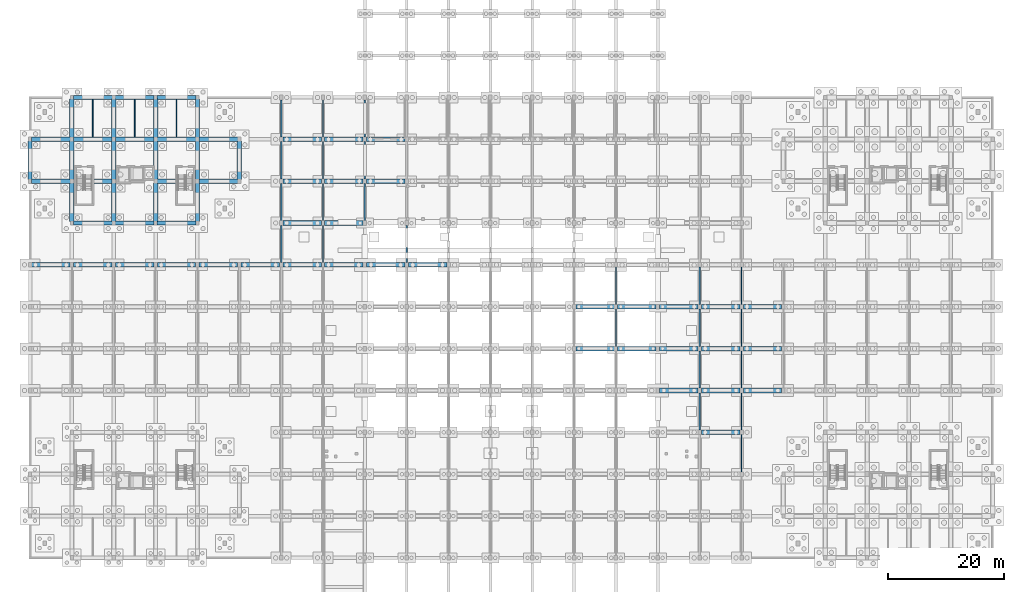
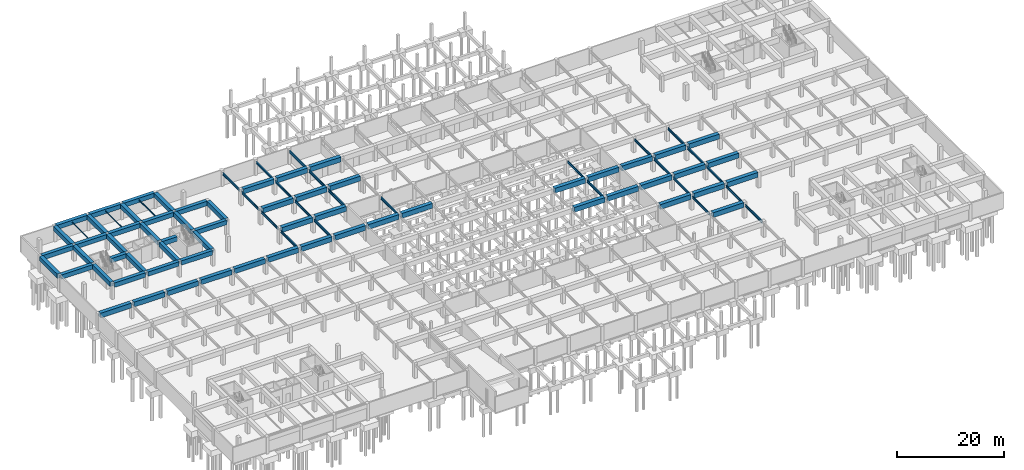
# One storey, part 20 of 36: 87 beams.
"""IFC4 building model written with IfcOpenShell, lengths in metres."""

import ifcopenshell
import ifcopenshell.guid

model = None  # the IFC model being written
_history = None  # IfcOwnerHistory: only IFC2X3 demands one
_inside = {}  # id of a spatial element -> (the spatial element, [elements in it])
_under = {}  # id of a project, library or spatial element -> (it, [spatial elements below it])
_declared = {}  # id of a project -> (the project, [libraries it declares])
_typed = {}  # id of a type object -> (the type object, [elements of that type])
_made_of = {}  # id of a material, layer set ... -> (it, [elements and type objects made of it])


def new_model(schema):
    """Start an empty IFC model of exactly this schema.

    Asked for "IFC4X3", IfcOpenShell would pick the latest addendum, in which some entities
    have other attributes; the version numbers below select the first issue.
    IFC2X3 requires an IfcOwnerHistory on every rooted entity: one is made here for all.
    """
    global model, _history
    if schema == "IFC4X3":
        model = ifcopenshell.file(schema_version=(4, 3, 0, 0))
    else:
        model = ifcopenshell.file(schema=schema)
    _inside.clear()
    _under.clear()
    _declared.clear()
    _typed.clear()
    _made_of.clear()
    _history = None
    if model.schema == "IFC2X3":
        org = make("IfcOrganization", Name="unknown")
        user = make(
            "IfcPersonAndOrganization",
            ThePerson=make("IfcPerson", FamilyName="unknown"),
            TheOrganization=org,
        )
        app = make(
            "IfcApplication",
            ApplicationDeveloper=org,
            Version="unknown",
            ApplicationFullName="unknown",
            ApplicationIdentifier="unknown",
        )
        _history = make(
            "IfcOwnerHistory",
            OwningUser=user,
            OwningApplication=app,
            ChangeAction="ADDED",
            CreationDate=0,
        )
    return model


def make(cls, **values):
    """One entity of the class cls with the attributes given. An attribute that is None is left unset."""
    return model.create_entity(
        cls, **{name: value for name, value in values.items() if value is not None}
    )


def rooted(cls, **values):
    """An entity with a GlobalId (a new one), such as an element, a storey or a relation."""
    return make(cls, GlobalId=ifcopenshell.guid.new(), OwnerHistory=_history, **values)


def si_unit(unit_type, name, prefix=None):
    """IfcSIUnit, for example si_unit("LENGTHUNIT", "METRE", prefix="MILLI")."""
    return make("IfcSIUnit", UnitType=unit_type, Prefix=prefix, Name=name)


def assignment(units):
    """IfcUnitAssignment: the units of a project."""
    return None if units is None else make("IfcUnitAssignment", Units=units)


def point(xyz):
    """IfcCartesianPoint."""
    return None if xyz is None else make("IfcCartesianPoint", Coordinates=xyz)


def direction(xyz):
    """IfcDirection."""
    return None if xyz is None else make("IfcDirection", DirectionRatios=xyz)


def frame(location, z_axis=None, x_axis=None):
    """IfcAxis2Placement3D, a coordinate frame: its origin and axes. An axis left out is left unset."""
    return make(
        "IfcAxis2Placement3D",
        Location=point(location),
        Axis=direction(z_axis),
        RefDirection=direction(x_axis),
    )


def frame_2d(location, x_axis=None):
    """IfcAxis2Placement2D, a coordinate frame in the plane: its origin and x axis."""
    return make(
        "IfcAxis2Placement2D", Location=point(location), RefDirection=direction(x_axis)
    )


def origin():
    """The frame at (0, 0, 0) with its axes left unset."""
    return frame((0.0, 0.0, 0.0))


def origin_2d():
    """The frame at (0, 0) in the plane with its x axis left unset."""
    return frame_2d((0.0, 0.0))


def place(relative_to, where):
    """IfcLocalPlacement: puts the frame where relative to a parent placement (None: the world)."""
    return make(
        "IfcLocalPlacement", PlacementRelTo=relative_to, RelativePlacement=where
    )


def context(
    kind, dimensions, precision=None, world=None, true_north=None, identifier=None
):
    """IfcGeometricRepresentationContext, for example the 3D "Model" context."""
    return make(
        "IfcGeometricRepresentationContext",
        ContextIdentifier=identifier,
        ContextType=kind,
        CoordinateSpaceDimension=dimensions,
        Precision=precision,
        WorldCoordinateSystem=world,
        TrueNorth=true_north,
    )


def subcontext(parent, identifier, kind, view, scale=None):
    """IfcGeometricRepresentationSubContext, for example "Body" below "Model"."""
    return make(
        "IfcGeometricRepresentationSubContext",
        ContextIdentifier=identifier,
        ContextType=kind,
        ParentContext=parent,
        TargetScale=scale,
        TargetView=view,
    )


def project(units=None, contexts=None):
    """IfcProject with its units and contexts."""
    return rooted(
        "IfcProject",
        Name="project",
        RepresentationContexts=contexts,
        UnitsInContext=assignment(units),
    )


def spatial(cls, under=None, at=None, **own):
    """A site, building, storey or space (cls), placed at a placement, below another one or the project."""
    s = rooted(cls, ObjectPlacement=at, **own)
    if under is not None:
        _under.setdefault(under.id(), (under, []))[1].append(s)
    return s


def profile(cls, at=None, kind="AREA", **sizes):
    """A parametric profile (cls). Its sizes go by their IFC names, for example OverallWidth=200.0."""
    return make(cls, ProfileType=kind, Position=at, **sizes)


def rectangle(**sizes):
    """IfcRectangleProfileDef."""
    return profile("IfcRectangleProfileDef", **sizes)


def i_section(**sizes):
    """IfcIShapeProfileDef."""
    return profile("IfcIShapeProfileDef", **sizes)


def extrude(swept, where, along, depth):
    """IfcExtrudedAreaSolid: the profile swept, set in the frame where, extruded along a direction by depth."""
    return make(
        "IfcExtrudedAreaSolid",
        SweptArea=swept,
        Position=where,
        ExtrudedDirection=direction(along),
        Depth=depth,
    )


def shape(context_of_items, identifier, shape_type, items):
    """IfcShapeRepresentation: the items that make up one representation, for example the "Body"."""
    return make(
        "IfcShapeRepresentation",
        ContextOfItems=context_of_items,
        RepresentationIdentifier=identifier,
        RepresentationType=shape_type,
        Items=items,
    )


def material(Name=None, Category=None):
    """IfcMaterial."""
    return make("IfcMaterial", Name=Name, Category=Category)


def material_profile(
    of_material, cross_section, Name=None, Category=None, Priority=None
):
    """IfcMaterialProfile: a cross section and its material."""
    return make(
        "IfcMaterialProfile",
        Name=Name,
        Material=of_material,
        Profile=cross_section,
        Priority=Priority,
        Category=Category,
    )


def profile_set(profiles, Name=None, composite=None):
    """IfcMaterialProfileSet."""
    return make(
        "IfcMaterialProfileSet",
        Name=Name,
        MaterialProfiles=profiles,
        CompositeProfile=composite,
    )


def made_of(thing, what):
    """Note that an element or type object is made of a material, layer set ...; save() writes the relation."""
    if what is not None:
        _made_of.setdefault(what.id(), (what, []))[1].append(thing)
    return thing


def type_object(cls, material=None, **own):
    """A type object (cls), such as IfcWallType, which elements share."""
    return made_of(rooted(cls, **own), material)


def element(
    cls,
    number,
    at=None,
    inside=None,
    cuts=None,
    type_object=None,
    material=None,
    context=None,
    identifier="Body",
    shape_type=None,
    held_by="IfcProductDefinitionShape",
    body=None,
    shapes=None,
    **own,
):
    """One element of the class cls, such as IfcWall. Its Tag is "e" and its number.

    at: its placement. inside: the storey or other place that contains it. cuts: it is an
    opening in that element (IfcRelVoidsElement). A single representation is given by context,
    identifier, shape_type and body (its items); several are given by shapes. held_by: the class
    of the entity that holds the representations. save() writes the other relations.
    """
    e = rooted(cls, Tag="e%d" % number, ObjectPlacement=at, **own)
    if body is not None:
        shapes = [shape(context, identifier, shape_type, body)]
    if shapes is not None:
        e.Representation = make(held_by, Representations=shapes)
    if inside is not None:
        _inside.setdefault(inside.id(), (inside, []))[1].append(e)
    if cuts is not None:
        rooted(
            "IfcRelVoidsElement", RelatingBuildingElement=cuts, RelatedOpeningElement=e
        )
    if type_object is not None:
        _typed.setdefault(type_object.id(), (type_object, []))[1].append(e)
    return made_of(e, material)


def aggregate(whole, parts):
    """IfcRelAggregates: a whole, such as a stair, and the parts it consists of."""
    return rooted("IfcRelAggregates", RelatingObject=whole, RelatedObjects=parts)


def save(model, path):
    """Write the relations noted so far, then the file.

    IfcRelAggregates (storeys below a building ...), IfcRelContainedInSpatialStructure (elements
    in a storey), IfcRelDefinesByType, IfcRelAssociatesMaterial and IfcRelDeclares: one each for
    every whole, place, type object, material and project.
    """
    for whole, parts in _under.values():
        aggregate(whole, parts)
    for where, things in _inside.values():
        rooted(
            "IfcRelContainedInSpatialStructure",
            RelatedElements=things,
            RelatingStructure=where,
        )
    for kind, things in _typed.values():
        rooted("IfcRelDefinesByType", RelatedObjects=things, RelatingType=kind)
    for what, things in _made_of.values():
        rooted("IfcRelAssociatesMaterial", RelatedObjects=things, RelatingMaterial=what)
    for by, libraries in _declared.values():
        rooted("IfcRelDeclares", RelatingContext=by, RelatedDefinitions=libraries)
    model.write(path)


model = new_model("IFC4")

# Units and contexts
model_context = context("Model", 3, precision=1e-05, world=origin(), true_north=direction((0.0, 1.0)))
body_context = subcontext(model_context, "Body", "Model", "MODEL_VIEW")
ifc_project = project(units=[si_unit("LENGTHUNIT", "METRE"), si_unit("AREAUNIT", "SQUARE_METRE"), si_unit("VOLUMEUNIT", "CUBIC_METRE"), si_unit("PLANEANGLEUNIT", "RADIAN"), si_unit("MASSUNIT", "GRAM", prefix="KILO")], contexts=[model_context])

# Site, building, storey
site_placement = place(None, origin())
site = spatial("IfcSite", under=ifc_project, at=site_placement, CompositionType="ELEMENT")
building_placement = place(site_placement, origin())
building = spatial("IfcBuilding", under=site, at=building_placement, Name="Ochrevale Crest", CompositionType="ELEMENT")
storey_placement = place(building_placement, frame((0.0, 0.0, -3.60009765625)))
storey = spatial("IfcBuildingStorey", under=building, at=storey_placement, Name="B1", CompositionType="ELEMENT", Elevation=-3.60009765625)

# Beams
ifc_material_1 = material(Name="Concrete C50/60", Category="concrete")
ifc_material_profile_1 = material_profile(ifc_material_1, rectangle(XDim=0.75, YDim=1.0, at=origin_2d()), Name="RC 750x1000")
ifc_profile_set_1 = profile_set([ifc_material_profile_1], Name="Concrete C50/60")
beam_type_1 = type_object("IfcBeamType", Name="BM-TG750x1000", PredefinedType="USERDEFINED", material=ifc_profile_set_1)
beam_1_placement = place(storey_placement, frame((7.449951171875, 72.0, 3.10009765625), z_axis=(1.0, 0.0, 0.0), x_axis=(0.0, 1.0, 0.0)))
element("IfcBeam", 1, at=beam_1_placement, inside=storey, type_object=beam_type_1, Name="Block B B1 E-W beam Y=72.0", ObjectType="GIRDER", PredefinedType="USERDEFINED", context=body_context, shape_type="SweptSolid", body=[
    extrude(rectangle(XDim=0.75, YDim=1.0, at=origin_2d()), origin(), (0.0, 0.0, 1.0), 6.699951171875),
])
beam_2_placement = place(storey_placement, frame((14.64990234375, 72.0, 3.10009765625), z_axis=(1.0, 0.0, 0.0), x_axis=(0.0, 1.0, 0.0)))
element("IfcBeam", 2, at=beam_2_placement, inside=storey, type_object=beam_type_1, Name="Block B B1 E-W beam Y=72.0", ObjectType="GIRDER", PredefinedType="USERDEFINED", context=body_context, shape_type="SweptSolid", body=[
    extrude(rectangle(XDim=0.75, YDim=1.0, at=origin_2d()), origin(), (0.0, 0.0, 1.0), 6.7001953125),
])
beam_3_placement = place(storey_placement, frame((21.85009765625, 72.0, 3.10009765625), z_axis=(1.0, 0.0, 0.0), x_axis=(0.0, 1.0, 0.0)))
element("IfcBeam", 3, at=beam_3_placement, inside=storey, type_object=beam_type_1, Name="Block B B1 E-W beam Y=72.0", ObjectType="GIRDER", PredefinedType="USERDEFINED", context=body_context, shape_type="SweptSolid", body=[
    extrude(rectangle(XDim=0.75, YDim=1.0, at=origin_2d()), origin(), (0.0, 0.0, 1.0), 6.699951171875),
])
beam_4_placement = place(storey_placement, frame((0.25, 79.199951171875, 3.10009765625), z_axis=(1.0, 0.0, 0.0), x_axis=(0.0, 1.0, 0.0)))
element("IfcBeam", 4, at=beam_4_placement, inside=storey, type_object=beam_type_1, Name="Block B B1 E-W beam Y=79.2", ObjectType="GIRDER", PredefinedType="USERDEFINED", context=body_context, shape_type="SweptSolid", body=[
    extrude(rectangle(XDim=0.75, YDim=1.0, at=origin_2d()), origin(), (0.0, 0.0, 1.0), 6.675048828125),
])
beam_5_placement = place(storey_placement, frame((10.889892578125, 79.199951171875, 3.10009765625), z_axis=(1.0, 0.0, 0.0), x_axis=(0.0, 1.0, 0.0)))
element("IfcBeam", 5, at=beam_5_placement, inside=storey, type_object=beam_type_1, Name="Block B B1 E-W beam Y=79.2", ObjectType="GIRDER", PredefinedType="USERDEFINED", context=body_context, shape_type="SweptSolid", body=[
    extrude(rectangle(XDim=0.75, YDim=1.0, at=origin_2d()), origin(), (0.0, 0.0, 1.0), 3.235107421875),
])
beam_6_placement = place(storey_placement, frame((21.875, 79.199951171875, 3.10009765625), z_axis=(1.0, 0.0, 0.0), x_axis=(0.0, 1.0, 0.0)))
element("IfcBeam", 6, at=beam_6_placement, inside=storey, type_object=beam_type_1, Name="Block B B1 E-W beam Y=79.2", ObjectType="GIRDER", PredefinedType="USERDEFINED", context=body_context, shape_type="SweptSolid", body=[
    extrude(rectangle(XDim=0.75, YDim=1.0, at=origin_2d()), origin(), (0.0, 0.0, 1.0), 3.284912109375),
])
for number, where, z_axis, x_axis, name in (
    (7, (29.074951171875, 79.199951171875, 3.10009765625), (1.0, 0.0, 0.0), (0.0, 1.0, 0.0), "Block B B1 E-W beam Y=79.2"),
    (8, (0.25, 86.39990234375, 3.10009765625), (1.0, 0.0, 0.0), (0.0, 1.0, 0.0), "Block B B1 E-W beam Y=86.4"),
):
    element("IfcBeam", number, at=place(storey_placement, frame(where, z_axis=z_axis, x_axis=x_axis)), inside=storey, type_object=beam_type_1, Name=name, ObjectType="GIRDER", PredefinedType="USERDEFINED", context=body_context, shape_type="SweptSolid", body=[
        extrude(rectangle(XDim=0.75, YDim=1.0, at=origin_2d()), origin(), (0.0, 0.0, 1.0), 6.675048828125),
    ])
for number, where, z_axis, x_axis, name in (
    (9, (7.47509765625, 86.39990234375, 3.10009765625), (1.0, 0.0, 0.0), (0.0, 1.0, 0.0), "Block B B1 E-W beam Y=86.4"),
    (10, (14.675048828125, 86.39990234375, 3.10009765625), (1.0, 0.0, 0.0), (0.0, 1.0, 0.0), "Block B B1 E-W beam Y=86.4"),
    (11, (21.875, 86.39990234375, 3.10009765625), (1.0, 0.0, 0.0), (0.0, 1.0, 0.0), "Block B B1 E-W beam Y=86.4"),
):
    element("IfcBeam", number, at=place(storey_placement, frame(where, z_axis=z_axis, x_axis=x_axis)), inside=storey, type_object=beam_type_1, Name=name, ObjectType="GIRDER", PredefinedType="USERDEFINED", context=body_context, shape_type="SweptSolid", body=[
        extrude(rectangle(XDim=0.75, YDim=1.0, at=origin_2d()), origin(), (0.0, 0.0, 1.0), 6.64990234375),
    ])
beam_7_placement = place(storey_placement, frame((29.074951171875, 86.39990234375, 3.10009765625), z_axis=(1.0, 0.0, 0.0), x_axis=(0.0, 1.0, 0.0)))
element("IfcBeam", 12, at=beam_7_placement, inside=storey, type_object=beam_type_1, Name="Block B B1 E-W beam Y=86.4", ObjectType="GIRDER", PredefinedType="USERDEFINED", context=body_context, shape_type="SweptSolid", body=[
    extrude(rectangle(XDim=0.75, YDim=1.0, at=origin_2d()), origin(), (0.0, 0.0, 1.0), 6.675048828125),
])
beam_8_placement = place(storey_placement, frame((7.449951171875, 93.60009765625, 3.10009765625), z_axis=(1.0, 0.0, 0.0), x_axis=(0.0, 1.0, 0.0)))
element("IfcBeam", 13, at=beam_8_placement, inside=storey, type_object=beam_type_1, Name="Block B B1 E-W beam Y=93.6", ObjectType="GIRDER", PredefinedType="USERDEFINED", context=body_context, shape_type="SweptSolid", body=[
    extrude(rectangle(XDim=0.75, YDim=1.0, at=origin_2d()), origin(), (0.0, 0.0, 1.0), 6.699951171875),
])
beam_9_placement = place(storey_placement, frame((14.64990234375, 93.60009765625, 3.10009765625), z_axis=(1.0, 0.0, 0.0), x_axis=(0.0, 1.0, 0.0)))
element("IfcBeam", 14, at=beam_9_placement, inside=storey, type_object=beam_type_1, Name="Block B B1 E-W beam Y=93.6", ObjectType="GIRDER", PredefinedType="USERDEFINED", context=body_context, shape_type="SweptSolid", body=[
    extrude(rectangle(XDim=0.75, YDim=1.0, at=origin_2d()), origin(), (0.0, 0.0, 1.0), 6.7001953125),
])
beam_10_placement = place(storey_placement, frame((21.85009765625, 93.60009765625, 3.10009765625), z_axis=(1.0, 0.0, 0.0), x_axis=(0.0, 1.0, 0.0)))
element("IfcBeam", 15, at=beam_10_placement, inside=storey, type_object=beam_type_1, Name="Block B B1 E-W beam Y=93.6", ObjectType="GIRDER", PredefinedType="USERDEFINED", context=body_context, shape_type="SweptSolid", body=[
    extrude(rectangle(XDim=0.75, YDim=1.0, at=origin_2d()), origin(), (0.0, 0.0, 1.0), 6.699951171875),
])
beam_11_placement = place(storey_placement, frame((0.0, 79.455078125, 3.10009765625), z_axis=(0.0, 1.0, 0.0), x_axis=(-1.0, 0.0, 0.0)))
element("IfcBeam", 16, at=beam_11_placement, inside=storey, type_object=beam_type_1, Name="Block B B1 N-S beam X=0.0", ObjectType="GIRDER", PredefinedType="USERDEFINED", context=body_context, shape_type="SweptSolid", body=[
    extrude(rectangle(XDim=0.75, YDim=1.0, at=origin_2d()), origin(), (0.0, 0.0, 1.0), 6.68994140625),
])
beam_12_placement = place(storey_placement, frame((7.199951171875, 72.2548828125, 3.10009765625), z_axis=(0.0, 1.0, 0.0), x_axis=(-1.0, 0.0, 0.0)))
element("IfcBeam", 17, at=beam_12_placement, inside=storey, type_object=beam_type_1, Name="Block B B1 N-S beam X=7.2", ObjectType="GIRDER", PredefinedType="USERDEFINED", context=body_context, shape_type="SweptSolid", body=[
    extrude(rectangle(XDim=0.75, YDim=1.0, at=origin_2d()), origin(), (0.0, 0.0, 1.0), 6.6650390625),
])
beam_13_placement = place(storey_placement, frame((7.199951171875, 79.47998046875, 3.10009765625), z_axis=(0.0, 1.0, 0.0), x_axis=(-1.0, 0.0, 0.0)))
element("IfcBeam", 18, at=beam_13_placement, inside=storey, type_object=beam_type_1, Name="Block B B1 N-S beam X=7.2", ObjectType="GIRDER", PredefinedType="USERDEFINED", context=body_context, shape_type="SweptSolid", body=[
    extrude(rectangle(XDim=0.75, YDim=1.0, at=origin_2d()), origin(), (0.0, 0.0, 1.0), 6.64013671875),
])
for number, where, z_axis, x_axis, name in (
    (19, (7.199951171875, 86.679931640625, 3.10009765625), (0.0, 1.0, 0.0), (-1.0, 0.0, 0.0), "Block B B1 N-S beam X=7.2"),
    (20, (14.39990234375, 72.2548828125, 3.10009765625), (0.0, 1.0, 0.0), (-1.0, 0.0, 0.0), "Block B B1 N-S beam X=14.4"),
):
    element("IfcBeam", number, at=place(storey_placement, frame(where, z_axis=z_axis, x_axis=x_axis)), inside=storey, type_object=beam_type_1, Name=name, ObjectType="GIRDER", PredefinedType="USERDEFINED", context=body_context, shape_type="SweptSolid", body=[
        extrude(rectangle(XDim=0.75, YDim=1.0, at=origin_2d()), origin(), (0.0, 0.0, 1.0), 6.6650390625),
    ])
beam_14_placement = place(storey_placement, frame((14.39990234375, 79.47998046875, 3.10009765625), z_axis=(0.0, 1.0, 0.0), x_axis=(-1.0, 0.0, 0.0)))
element("IfcBeam", 21, at=beam_14_placement, inside=storey, type_object=beam_type_1, Name="Block B B1 N-S beam X=14.4", ObjectType="GIRDER", PredefinedType="USERDEFINED", context=body_context, shape_type="SweptSolid", body=[
    extrude(rectangle(XDim=0.75, YDim=1.0, at=origin_2d()), origin(), (0.0, 0.0, 1.0), 6.64013671875),
])
for number, where, z_axis, x_axis, name in (
    (22, (14.39990234375, 86.679931640625, 3.10009765625), (0.0, 1.0, 0.0), (-1.0, 0.0, 0.0), "Block B B1 N-S beam X=14.4"),
    (23, (21.60009765625, 72.2548828125, 3.10009765625), (0.0, 1.0, 0.0), (-1.0, 0.0, 0.0), "Block B B1 N-S beam X=21.6"),
):
    element("IfcBeam", number, at=place(storey_placement, frame(where, z_axis=z_axis, x_axis=x_axis)), inside=storey, type_object=beam_type_1, Name=name, ObjectType="GIRDER", PredefinedType="USERDEFINED", context=body_context, shape_type="SweptSolid", body=[
        extrude(rectangle(XDim=0.75, YDim=1.0, at=origin_2d()), origin(), (0.0, 0.0, 1.0), 6.6650390625),
    ])
beam_15_placement = place(storey_placement, frame((21.60009765625, 79.47998046875, 3.10009765625), z_axis=(0.0, 1.0, 0.0), x_axis=(-1.0, 0.0, 0.0)))
element("IfcBeam", 24, at=beam_15_placement, inside=storey, type_object=beam_type_1, Name="Block B B1 N-S beam X=21.6", ObjectType="GIRDER", PredefinedType="USERDEFINED", context=body_context, shape_type="SweptSolid", body=[
    extrude(rectangle(XDim=0.75, YDim=1.0, at=origin_2d()), origin(), (0.0, 0.0, 1.0), 6.64013671875),
])
for number, where, z_axis, x_axis, name in (
    (25, (21.60009765625, 86.679931640625, 3.10009765625), (0.0, 1.0, 0.0), (-1.0, 0.0, 0.0), "Block B B1 N-S beam X=21.6"),
    (26, (28.800048828125, 72.2548828125, 3.10009765625), (0.0, 1.0, 0.0), (-1.0, 0.0, 0.0), "Block B B1 N-S beam X=28.8"),
):
    element("IfcBeam", number, at=place(storey_placement, frame(where, z_axis=z_axis, x_axis=x_axis)), inside=storey, type_object=beam_type_1, Name=name, ObjectType="GIRDER", PredefinedType="USERDEFINED", context=body_context, shape_type="SweptSolid", body=[
        extrude(rectangle(XDim=0.75, YDim=1.0, at=origin_2d()), origin(), (0.0, 0.0, 1.0), 6.6650390625),
    ])
beam_16_placement = place(storey_placement, frame((28.800048828125, 79.47998046875, 3.10009765625), z_axis=(0.0, 1.0, 0.0), x_axis=(-1.0, 0.0, 0.0)))
element("IfcBeam", 27, at=beam_16_placement, inside=storey, type_object=beam_type_1, Name="Block B B1 N-S beam X=28.8", ObjectType="GIRDER", PredefinedType="USERDEFINED", context=body_context, shape_type="SweptSolid", body=[
    extrude(rectangle(XDim=0.75, YDim=1.0, at=origin_2d()), origin(), (0.0, 0.0, 1.0), 6.64013671875),
])
beam_17_placement = place(storey_placement, frame((28.800048828125, 86.679931640625, 3.10009765625), z_axis=(0.0, 1.0, 0.0), x_axis=(-1.0, 0.0, 0.0)))
element("IfcBeam", 28, at=beam_17_placement, inside=storey, type_object=beam_type_1, Name="Block B B1 N-S beam X=28.8", ObjectType="GIRDER", PredefinedType="USERDEFINED", context=body_context, shape_type="SweptSolid", body=[
    extrude(rectangle(XDim=0.75, YDim=1.0, at=origin_2d()), origin(), (0.0, 0.0, 1.0), 6.6650390625),
])
beam_18_placement = place(storey_placement, frame((36.0, 79.455078125, 3.10009765625), z_axis=(0.0, 1.0, 0.0), x_axis=(-1.0, 0.0, 0.0)))
element("IfcBeam", 29, at=beam_18_placement, inside=storey, type_object=beam_type_1, Name="Block B B1 N-S beam X=36.0", ObjectType="GIRDER", PredefinedType="USERDEFINED", context=body_context, shape_type="SweptSolid", body=[
    extrude(rectangle(XDim=0.75, YDim=1.0, at=origin_2d()), origin(), (0.0, 0.0, 1.0), 6.68994140625),
])
ifc_material_profile_2 = material_profile(ifc_material_1, rectangle(XDim=0.800048828125, YDim=1.10009765625, at=origin_2d()), Name="RC 800x1100")
ifc_profile_set_2 = profile_set([ifc_material_profile_2], Name="Concrete C50/60")
beam_type_2 = type_object("IfcBeamType", Name="BM-TG800x1100", PredefinedType="USERDEFINED", material=ifc_profile_set_2)
beam_19_placement = place(storey_placement, frame((0.294921875, 64.800048828125, 3.050048828125), z_axis=(1.0, 0.0, 0.0), x_axis=(0.0, 1.0, 0.0)))
element("IfcBeam", 30, at=beam_19_placement, inside=storey, type_object=beam_type_2, Name="B1 podium primary girder (0.0,64.8)", ObjectType="GIRDER", PredefinedType="USERDEFINED", context=body_context, shape_type="SweptSolid", body=[
    extrude(rectangle(XDim=0.800048828125, YDim=1.10009765625, at=origin_2d()), origin(), (0.0, 0.0, 1.0), 6.610107421875),
])
for number, where, z_axis, x_axis, name in (
    (31, (7.4951171875, 64.800048828125, 3.050048828125), (1.0, 0.0, 0.0), (0.0, 1.0, 0.0), "B1 podium primary girder (7.2,64.8)"),
    (32, (14.695068359375, 64.800048828125, 3.050048828125), (1.0, 0.0, 0.0), (0.0, 1.0, 0.0), "B1 podium primary girder (14.4,64.8)"),
    (33, (21.89501953125, 64.800048828125, 3.050048828125), (1.0, 0.0, 0.0), (0.0, 1.0, 0.0), "B1 podium primary girder (21.6,64.8)"),
):
    element("IfcBeam", number, at=place(storey_placement, frame(where, z_axis=z_axis, x_axis=x_axis)), inside=storey, type_object=beam_type_2, Name=name, ObjectType="GIRDER", PredefinedType="USERDEFINED", context=body_context, shape_type="SweptSolid", body=[
        extrude(rectangle(XDim=0.800048828125, YDim=1.10009765625, at=origin_2d()), origin(), (0.0, 0.0, 1.0), 6.60986328125),
    ])
for number, where, z_axis, x_axis, name in (
    (34, (29.094970703125, 64.800048828125, 3.050048828125), (1.0, 0.0, 0.0), (0.0, 1.0, 0.0), "B1 podium primary girder (28.8,64.8)"),
    (35, (36.294921875, 64.800048828125, 3.050048828125), (1.0, 0.0, 0.0), (0.0, 1.0, 0.0), "B1 podium primary girder (36.0,64.8)"),
):
    element("IfcBeam", number, at=place(storey_placement, frame(where, z_axis=z_axis, x_axis=x_axis)), inside=storey, type_object=beam_type_2, Name=name, ObjectType="GIRDER", PredefinedType="USERDEFINED", context=body_context, shape_type="SweptSolid", body=[
        extrude(rectangle(XDim=0.800048828125, YDim=1.10009765625, at=origin_2d()), origin(), (0.0, 0.0, 1.0), 6.610107421875),
    ])
for number, where, z_axis, x_axis, name in (
    (36, (43.4951171875, 64.800048828125, 3.050048828125), (1.0, 0.0, 0.0), (0.0, 1.0, 0.0), "B1 podium primary girder (43.2,64.8)"),
    (37, (43.4951171875, 72.0, 3.050048828125), (1.0, 0.0, 0.0), (0.0, 1.0, 0.0), "B1 podium primary girder (43.2,72.0)"),
    (38, (43.4951171875, 79.199951171875, 3.050048828125), (1.0, 0.0, 0.0), (0.0, 1.0, 0.0), "B1 podium primary girder (43.2,79.2)"),
    (39, (43.4951171875, 86.39990234375, 3.050048828125), (1.0, 0.0, 0.0), (0.0, 1.0, 0.0), "B1 podium primary girder (43.2,86.4)"),
    (40, (50.695068359375, 64.800048828125, 3.050048828125), (1.0, 0.0, 0.0), (0.0, 1.0, 0.0), "B1 podium primary girder (50.4,64.8)"),
    (41, (50.695068359375, 72.0, 3.050048828125), (1.0, 0.0, 0.0), (0.0, 1.0, 0.0), "B1 podium primary girder (50.4,72.0)"),
    (42, (50.695068359375, 79.199951171875, 3.050048828125), (1.0, 0.0, 0.0), (0.0, 1.0, 0.0), "B1 podium primary girder (50.4,79.2)"),
    (43, (50.695068359375, 86.39990234375, 3.050048828125), (1.0, 0.0, 0.0), (0.0, 1.0, 0.0), "B1 podium primary girder (50.4,86.4)"),
    (44, (57.89501953125, 64.800048828125, 3.050048828125), (1.0, 0.0, 0.0), (0.0, 1.0, 0.0), "B1 podium primary girder (57.6,64.8)"),
    (45, (57.89501953125, 79.199951171875, 3.050048828125), (1.0, 0.0, 0.0), (0.0, 1.0, 0.0), "B1 podium primary girder (57.6,79.2)"),
    (46, (57.89501953125, 86.39990234375, 3.050048828125), (1.0, 0.0, 0.0), (0.0, 1.0, 0.0), "B1 podium primary girder (57.6,86.4)"),
):
    element("IfcBeam", number, at=place(storey_placement, frame(where, z_axis=z_axis, x_axis=x_axis)), inside=storey, type_object=beam_type_2, Name=name, ObjectType="GIRDER", PredefinedType="USERDEFINED", context=body_context, shape_type="SweptSolid", body=[
        extrude(rectangle(XDim=0.800048828125, YDim=1.10009765625, at=origin_2d()), origin(), (0.0, 0.0, 1.0), 6.60986328125),
    ])
beam_20_placement = place(storey_placement, frame((65.094970703125, 64.800048828125, 3.050048828125), z_axis=(1.0, 0.0, 0.0), x_axis=(0.0, 1.0, 0.0)))
element("IfcBeam", 47, at=beam_20_placement, inside=storey, type_object=beam_type_2, Name="B1 podium primary girder (64.8,64.8)", ObjectType="GIRDER", PredefinedType="USERDEFINED", context=body_context, shape_type="SweptSolid", body=[
    extrude(rectangle(XDim=0.800048828125, YDim=1.10009765625, at=origin_2d()), origin(), (0.0, 0.0, 1.0), 6.610107421875),
])
for number, where, z_axis, x_axis, name in (
    (48, (93.89501953125, 50.39990234375, 3.050048828125), (1.0, 0.0, 0.0), (0.0, 1.0, 0.0), "B1 podium primary girder (93.6,50.4)"),
    (49, (93.89501953125, 57.60009765625, 3.050048828125), (1.0, 0.0, 0.0), (0.0, 1.0, 0.0), "B1 podium primary girder (93.6,57.6)"),
):
    element("IfcBeam", number, at=place(storey_placement, frame(where, z_axis=z_axis, x_axis=x_axis)), inside=storey, type_object=beam_type_2, Name=name, ObjectType="GIRDER", PredefinedType="USERDEFINED", context=body_context, shape_type="SweptSolid", body=[
        extrude(rectangle(XDim=0.800048828125, YDim=1.10009765625, at=origin_2d()), origin(), (0.0, 0.0, 1.0), 6.60986328125),
    ])
for number, where, z_axis, x_axis, name in (
    (50, (101.094970703125, 50.39990234375, 3.050048828125), (1.0, 0.0, 0.0), (0.0, 1.0, 0.0), "B1 podium primary girder (100.8,50.4)"),
    (51, (101.094970703125, 57.60009765625, 3.050048828125), (1.0, 0.0, 0.0), (0.0, 1.0, 0.0), "B1 podium primary girder (100.8,57.6)"),
    (52, (108.294921875, 43.199951171875, 3.050048828125), (1.0, 0.0, 0.0), (0.0, 1.0, 0.0), "B1 podium primary girder (108.0,43.2)"),
    (53, (108.294921875, 50.39990234375, 3.050048828125), (1.0, 0.0, 0.0), (0.0, 1.0, 0.0), "B1 podium primary girder (108.0,50.4)"),
    (54, (108.294921875, 57.60009765625, 3.050048828125), (1.0, 0.0, 0.0), (0.0, 1.0, 0.0), "B1 podium primary girder (108.0,57.6)"),
):
    element("IfcBeam", number, at=place(storey_placement, frame(where, z_axis=z_axis, x_axis=x_axis)), inside=storey, type_object=beam_type_2, Name=name, ObjectType="GIRDER", PredefinedType="USERDEFINED", context=body_context, shape_type="SweptSolid", body=[
        extrude(rectangle(XDim=0.800048828125, YDim=1.10009765625, at=origin_2d()), origin(), (0.0, 0.0, 1.0), 6.610107421875),
    ])
for number, where, z_axis, x_axis, name in (
    (55, (115.4951171875, 36.0, 3.050048828125), (1.0, 0.0, 0.0), (0.0, 1.0, 0.0), "B1 podium primary girder (115.2,36.0)"),
    (56, (115.4951171875, 43.199951171875, 3.050048828125), (1.0, 0.0, 0.0), (0.0, 1.0, 0.0), "B1 podium primary girder (115.2,43.2)"),
    (57, (115.4951171875, 50.39990234375, 3.050048828125), (1.0, 0.0, 0.0), (0.0, 1.0, 0.0), "B1 podium primary girder (115.2,50.4)"),
    (58, (115.4951171875, 57.60009765625, 3.050048828125), (1.0, 0.0, 0.0), (0.0, 1.0, 0.0), "B1 podium primary girder (115.2,57.6)"),
    (59, (122.695068359375, 43.199951171875, 3.050048828125), (1.0, 0.0, 0.0), (0.0, 1.0, 0.0), "B1 podium primary girder (122.4,43.2)"),
    (60, (122.695068359375, 50.39990234375, 3.050048828125), (1.0, 0.0, 0.0), (0.0, 1.0, 0.0), "B1 podium primary girder (122.4,50.4)"),
    (61, (122.695068359375, 57.60009765625, 3.050048828125), (1.0, 0.0, 0.0), (0.0, 1.0, 0.0), "B1 podium primary girder (122.4,57.6)"),
):
    element("IfcBeam", number, at=place(storey_placement, frame(where, z_axis=z_axis, x_axis=x_axis)), inside=storey, type_object=beam_type_2, Name=name, ObjectType="GIRDER", PredefinedType="USERDEFINED", context=body_context, shape_type="SweptSolid", body=[
        extrude(rectangle(XDim=0.800048828125, YDim=1.10009765625, at=origin_2d()), origin(), (0.0, 0.0, 1.0), 6.60986328125),
    ])
ifc_material_2 = material(Name="Steel S355", Category="steel")
ifc_material_profile_3 = material_profile(ifc_material_2, i_section(OverallWidth=0.13330078125, OverallDepth=0.203125, WebThickness=0.005859375, FlangeThickness=0.0078125, FilletRadius=0.0087890625, at=origin_2d()), Name="200UB25.4")
ifc_profile_set_3 = profile_set([ifc_material_profile_3], Name="Steel S355")
beam_type_3 = type_object("IfcBeamType", Name="BM-UB200A", PredefinedType="JOIST", material=ifc_profile_set_3)
beam_21_placement = place(storey_placement, frame((10.800048828125, 86.762939453125, 3.173583984375), z_axis=(0.0, 1.0, 0.0), x_axis=(-1.0, 0.0, 0.0)))
element("IfcBeam", 62, at=beam_21_placement, inside=storey, type_object=beam_type_3, Name="Block B B1 composite plank trimmer beam 2", PredefinedType="JOIST", context=body_context, shape_type="SweptSolid", body=[
    extrude(i_section(OverallWidth=0.13330078125, OverallDepth=0.203125, WebThickness=0.005859375, FlangeThickness=0.0078125, FilletRadius=0.0087890625, at=origin_2d()), origin(), (0.0, 0.0, 1.0), 6.47412109375),
])
ifc_material_profile_4 = material_profile(ifc_material_2, i_section(OverallWidth=0.134033203125, OverallDepth=0.20703125, WebThickness=0.00634765625, FlangeThickness=0.009521484375, FilletRadius=0.0087890625, at=origin_2d()), Name="200UB29.8")
ifc_profile_set_4 = profile_set([ifc_material_profile_4], Name="Steel S355")
beam_type_4 = type_object("IfcBeamType", Name="BM-UB200B", PredefinedType="JOIST", material=ifc_profile_set_4)
beam_22_placement = place(storey_placement, frame((18.0, 86.762939453125, 3.171630859375), z_axis=(0.0, 1.0, 0.0), x_axis=(-1.0, 0.0, 0.0)))
element("IfcBeam", 63, at=beam_22_placement, inside=storey, type_object=beam_type_4, Name="Block B B1 composite plank trimmer beam 3", PredefinedType="JOIST", context=body_context, shape_type="SweptSolid", body=[
    extrude(i_section(OverallWidth=0.134033203125, OverallDepth=0.20703125, WebThickness=0.00634765625, FlangeThickness=0.009521484375, FilletRadius=0.0087890625, at=origin_2d()), origin(), (0.0, 0.0, 1.0), 6.47412109375),
])
ifc_material_profile_5 = material_profile(ifc_material_2, i_section(OverallWidth=0.14599609375, OverallDepth=0.251708984375, WebThickness=0.006103515625, FlangeThickness=0.008544921875, FilletRadius=0.0087890625, at=origin_2d()), Name="250UB31.4")
ifc_profile_set_5 = profile_set([ifc_material_profile_5], Name="Steel S355")
beam_type_5 = type_object("IfcBeamType", Name="BM-UB250A", PredefinedType="JOIST", material=ifc_profile_set_5)
beam_23_placement = place(storey_placement, frame((25.199951171875, 86.762939453125, 3.1494140625), z_axis=(0.0, 1.0, 0.0), x_axis=(-1.0, 0.0, 0.0)))
element("IfcBeam", 64, at=beam_23_placement, inside=storey, type_object=beam_type_5, Name="Block B B1 composite plank trimmer beam 4", PredefinedType="JOIST", context=body_context, shape_type="SweptSolid", body=[
    extrude(i_section(OverallWidth=0.14599609375, OverallDepth=0.251708984375, WebThickness=0.006103515625, FlangeThickness=0.008544921875, FilletRadius=0.0087890625, at=origin_2d()), origin(), (0.0, 0.0, 1.0), 6.47412109375),
])
ifc_material_profile_6 = material_profile(ifc_material_2, i_section(OverallWidth=0.208740234375, OverallDepth=0.5283203125, WebThickness=0.009521484375, FlangeThickness=0.01318359375, FilletRadius=0.013916015625, at=origin_2d()), Name="530UB82.0")
ifc_profile_set_6 = profile_set([ifc_material_profile_6], Name="Steel S355")
beam_type_6 = type_object("IfcBeamType", Name="BM-UB530", PredefinedType="USERDEFINED", material=ifc_profile_set_6)
for number, where, z_axis, x_axis, name in (
    (65, (43.199951171875, 65.195068359375, 2.916015625), (0.0, 1.0, 0.0), (-1.0, 0.0, 0.0), "B1 carpark steel girder (43.2,64.8)"),
    (66, (43.199951171875, 72.39501953125, 2.916015625), (0.0, 1.0, 0.0), (-1.0, 0.0, 0.0), "B1 carpark steel girder (43.2,72.0)"),
    (67, (43.199951171875, 79.594970703125, 2.916015625), (0.0, 1.0, 0.0), (-1.0, 0.0, 0.0), "B1 carpark steel girder (43.2,79.2)"),
):
    element("IfcBeam", number, at=place(storey_placement, frame(where, z_axis=z_axis, x_axis=x_axis)), inside=storey, type_object=beam_type_6, Name=name, ObjectType="GIRDER", PredefinedType="USERDEFINED", context=body_context, shape_type="SweptSolid", body=[
        extrude(i_section(OverallWidth=0.208740234375, OverallDepth=0.5283203125, WebThickness=0.009521484375, FlangeThickness=0.01318359375, FilletRadius=0.013916015625, at=origin_2d()), origin(), (0.0, 0.0, 1.0), 6.409912109375),
    ])
beam_24_placement = place(storey_placement, frame((43.199951171875, 86.794921875, 2.916015625), z_axis=(0.0, 1.0, 0.0), x_axis=(-1.0, 0.0, 0.0)))
element("IfcBeam", 68, at=beam_24_placement, inside=storey, type_object=beam_type_6, Name="B1 carpark steel girder (43.2,86.4)", ObjectType="GIRDER", PredefinedType="USERDEFINED", context=body_context, shape_type="SweptSolid", body=[
    extrude(i_section(OverallWidth=0.208740234375, OverallDepth=0.5283203125, WebThickness=0.009521484375, FlangeThickness=0.01318359375, FilletRadius=0.013916015625, at=origin_2d()), origin(), (0.0, 0.0, 1.0), 6.41015625),
])
for number, where, z_axis, x_axis, name in (
    (69, (50.39990234375, 65.195068359375, 2.916015625), (0.0, 1.0, 0.0), (-1.0, 0.0, 0.0), "B1 carpark steel girder (50.4,64.8)"),
    (70, (50.39990234375, 72.39501953125, 2.916015625), (0.0, 1.0, 0.0), (-1.0, 0.0, 0.0), "B1 carpark steel girder (50.4,72.0)"),
    (71, (50.39990234375, 79.594970703125, 2.916015625), (0.0, 1.0, 0.0), (-1.0, 0.0, 0.0), "B1 carpark steel girder (50.4,79.2)"),
):
    element("IfcBeam", number, at=place(storey_placement, frame(where, z_axis=z_axis, x_axis=x_axis)), inside=storey, type_object=beam_type_6, Name=name, ObjectType="GIRDER", PredefinedType="USERDEFINED", context=body_context, shape_type="SweptSolid", body=[
        extrude(i_section(OverallWidth=0.208740234375, OverallDepth=0.5283203125, WebThickness=0.009521484375, FlangeThickness=0.01318359375, FilletRadius=0.013916015625, at=origin_2d()), origin(), (0.0, 0.0, 1.0), 6.409912109375),
    ])
beam_25_placement = place(storey_placement, frame((50.39990234375, 86.794921875, 2.916015625), z_axis=(0.0, 1.0, 0.0), x_axis=(-1.0, 0.0, 0.0)))
element("IfcBeam", 72, at=beam_25_placement, inside=storey, type_object=beam_type_6, Name="B1 carpark steel girder (50.4,86.4)", ObjectType="GIRDER", PredefinedType="USERDEFINED", context=body_context, shape_type="SweptSolid", body=[
    extrude(i_section(OverallWidth=0.208740234375, OverallDepth=0.5283203125, WebThickness=0.009521484375, FlangeThickness=0.01318359375, FilletRadius=0.013916015625, at=origin_2d()), origin(), (0.0, 0.0, 1.0), 6.41015625),
])
beam_26_placement = place(storey_placement, frame((64.800048828125, 65.195068359375, 2.916015625), z_axis=(0.0, 1.0, 0.0), x_axis=(-1.0, 0.0, 0.0)))
element("IfcBeam", 73, at=beam_26_placement, inside=storey, type_object=beam_type_6, Name="B1 carpark steel girder (64.8,64.8)", ObjectType="GIRDER", PredefinedType="USERDEFINED", context=body_context, shape_type="SweptSolid", body=[
    extrude(i_section(OverallWidth=0.208740234375, OverallDepth=0.5283203125, WebThickness=0.009521484375, FlangeThickness=0.01318359375, FilletRadius=0.013916015625, at=origin_2d()), origin(), (0.0, 0.0, 1.0), 6.409912109375),
])
beam_27_placement = place(storey_placement, frame((100.800048828125, 50.794921875, 2.916015625), z_axis=(0.0, 1.0, 0.0), x_axis=(-1.0, 0.0, 0.0)))
element("IfcBeam", 74, at=beam_27_placement, inside=storey, type_object=beam_type_6, Name="B1 carpark steel girder (100.8,50.4)", ObjectType="GIRDER", PredefinedType="USERDEFINED", context=body_context, shape_type="SweptSolid", body=[
    extrude(i_section(OverallWidth=0.208740234375, OverallDepth=0.5283203125, WebThickness=0.009521484375, FlangeThickness=0.01318359375, FilletRadius=0.013916015625, at=origin_2d()), origin(), (0.0, 0.0, 1.0), 6.41015625),
])
for number, where, z_axis, x_axis, name in (
    (75, (100.800048828125, 57.9951171875, 2.916015625), (0.0, 1.0, 0.0), (-1.0, 0.0, 0.0), "B1 carpark steel girder (100.8,57.6)"),
    (76, (115.199951171875, 36.39501953125, 2.916015625), (0.0, 1.0, 0.0), (-1.0, 0.0, 0.0), "B1 carpark steel girder (115.2,36.0)"),
    (77, (115.199951171875, 43.594970703125, 2.916015625), (0.0, 1.0, 0.0), (-1.0, 0.0, 0.0), "B1 carpark steel girder (115.2,43.2)"),
):
    element("IfcBeam", number, at=place(storey_placement, frame(where, z_axis=z_axis, x_axis=x_axis)), inside=storey, type_object=beam_type_6, Name=name, ObjectType="GIRDER", PredefinedType="USERDEFINED", context=body_context, shape_type="SweptSolid", body=[
        extrude(i_section(OverallWidth=0.208740234375, OverallDepth=0.5283203125, WebThickness=0.009521484375, FlangeThickness=0.01318359375, FilletRadius=0.013916015625, at=origin_2d()), origin(), (0.0, 0.0, 1.0), 6.409912109375),
    ])
beam_28_placement = place(storey_placement, frame((115.199951171875, 50.794921875, 2.916015625), z_axis=(0.0, 1.0, 0.0), x_axis=(-1.0, 0.0, 0.0)))
element("IfcBeam", 78, at=beam_28_placement, inside=storey, type_object=beam_type_6, Name="B1 carpark steel girder (115.2,50.4)", ObjectType="GIRDER", PredefinedType="USERDEFINED", context=body_context, shape_type="SweptSolid", body=[
    extrude(i_section(OverallWidth=0.208740234375, OverallDepth=0.5283203125, WebThickness=0.009521484375, FlangeThickness=0.01318359375, FilletRadius=0.013916015625, at=origin_2d()), origin(), (0.0, 0.0, 1.0), 6.41015625),
])
for number, where, z_axis, x_axis, name in (
    (79, (115.199951171875, 57.9951171875, 2.916015625), (0.0, 1.0, 0.0), (-1.0, 0.0, 0.0), "B1 carpark steel girder (115.2,57.6)"),
    (80, (122.39990234375, 29.195068359375, 2.916015625), (0.0, 1.0, 0.0), (-1.0, 0.0, 0.0), "B1 carpark steel girder (122.4,28.8)"),
    (81, (122.39990234375, 36.39501953125, 2.916015625), (0.0, 1.0, 0.0), (-1.0, 0.0, 0.0), "B1 carpark steel girder (122.4,36.0)"),
    (82, (122.39990234375, 43.594970703125, 2.916015625), (0.0, 1.0, 0.0), (-1.0, 0.0, 0.0), "B1 carpark steel girder (122.4,43.2)"),
):
    element("IfcBeam", number, at=place(storey_placement, frame(where, z_axis=z_axis, x_axis=x_axis)), inside=storey, type_object=beam_type_6, Name=name, ObjectType="GIRDER", PredefinedType="USERDEFINED", context=body_context, shape_type="SweptSolid", body=[
        extrude(i_section(OverallWidth=0.208740234375, OverallDepth=0.5283203125, WebThickness=0.009521484375, FlangeThickness=0.01318359375, FilletRadius=0.013916015625, at=origin_2d()), origin(), (0.0, 0.0, 1.0), 6.409912109375),
    ])
beam_29_placement = place(storey_placement, frame((122.39990234375, 50.794921875, 2.916015625), z_axis=(0.0, 1.0, 0.0), x_axis=(-1.0, 0.0, 0.0)))
element("IfcBeam", 83, at=beam_29_placement, inside=storey, type_object=beam_type_6, Name="B1 carpark steel girder (122.4,50.4)", ObjectType="GIRDER", PredefinedType="USERDEFINED", context=body_context, shape_type="SweptSolid", body=[
    extrude(i_section(OverallWidth=0.208740234375, OverallDepth=0.5283203125, WebThickness=0.009521484375, FlangeThickness=0.01318359375, FilletRadius=0.013916015625, at=origin_2d()), origin(), (0.0, 0.0, 1.0), 6.41015625),
])
beam_30_placement = place(storey_placement, frame((122.39990234375, 57.9951171875, 2.916015625), z_axis=(0.0, 1.0, 0.0), x_axis=(-1.0, 0.0, 0.0)))
element("IfcBeam", 84, at=beam_30_placement, inside=storey, type_object=beam_type_6, Name="B1 carpark steel girder (122.4,57.6)", ObjectType="GIRDER", PredefinedType="USERDEFINED", context=body_context, shape_type="SweptSolid", body=[
    extrude(i_section(OverallWidth=0.208740234375, OverallDepth=0.5283203125, WebThickness=0.009521484375, FlangeThickness=0.01318359375, FilletRadius=0.013916015625, at=origin_2d()), origin(), (0.0, 0.0, 1.0), 6.409912109375),
])
ifc_material_profile_7 = material_profile(ifc_material_2, i_section(OverallWidth=0.22900390625, OverallDepth=0.611572265625, WebThickness=0.011962890625, FlangeThickness=0.01953125, FilletRadius=0.013916015625, at=origin_2d()), Name="610UB125")
ifc_profile_set_7 = profile_set([ifc_material_profile_7], Name="Steel S355")
beam_type_7 = type_object("IfcBeamType", Name="BM-UB610B", PredefinedType="USERDEFINED", material=ifc_profile_set_7)
for number, where, z_axis, x_axis, name in (
    (85, (57.60009765625, 72.39501953125, 2.874267578125), (0.0, 1.0, 0.0), (-1.0, 0.0, 0.0), "B1 carpark steel girder (57.6,72.0)"),
    (86, (57.60009765625, 79.594970703125, 2.874267578125), (0.0, 1.0, 0.0), (-1.0, 0.0, 0.0), "B1 carpark steel girder (57.6,79.2)"),
):
    element("IfcBeam", number, at=place(storey_placement, frame(where, z_axis=z_axis, x_axis=x_axis)), inside=storey, type_object=beam_type_7, Name=name, ObjectType="GIRDER", PredefinedType="USERDEFINED", context=body_context, shape_type="SweptSolid", body=[
        extrude(i_section(OverallWidth=0.22900390625, OverallDepth=0.611572265625, WebThickness=0.011962890625, FlangeThickness=0.01953125, FilletRadius=0.013916015625, at=origin_2d()), origin(), (0.0, 0.0, 1.0), 6.409912109375),
    ])
beam_31_placement = place(storey_placement, frame((57.60009765625, 86.794921875, 2.874267578125), z_axis=(0.0, 1.0, 0.0), x_axis=(-1.0, 0.0, 0.0)))
element("IfcBeam", 87, at=beam_31_placement, inside=storey, type_object=beam_type_7, Name="B1 carpark steel girder (57.6,86.4)", ObjectType="GIRDER", PredefinedType="USERDEFINED", context=body_context, shape_type="SweptSolid", body=[
    extrude(i_section(OverallWidth=0.22900390625, OverallDepth=0.611572265625, WebThickness=0.011962890625, FlangeThickness=0.01953125, FilletRadius=0.013916015625, at=origin_2d()), origin(), (0.0, 0.0, 1.0), 6.41015625),
])

save(model, "model.ifc")
